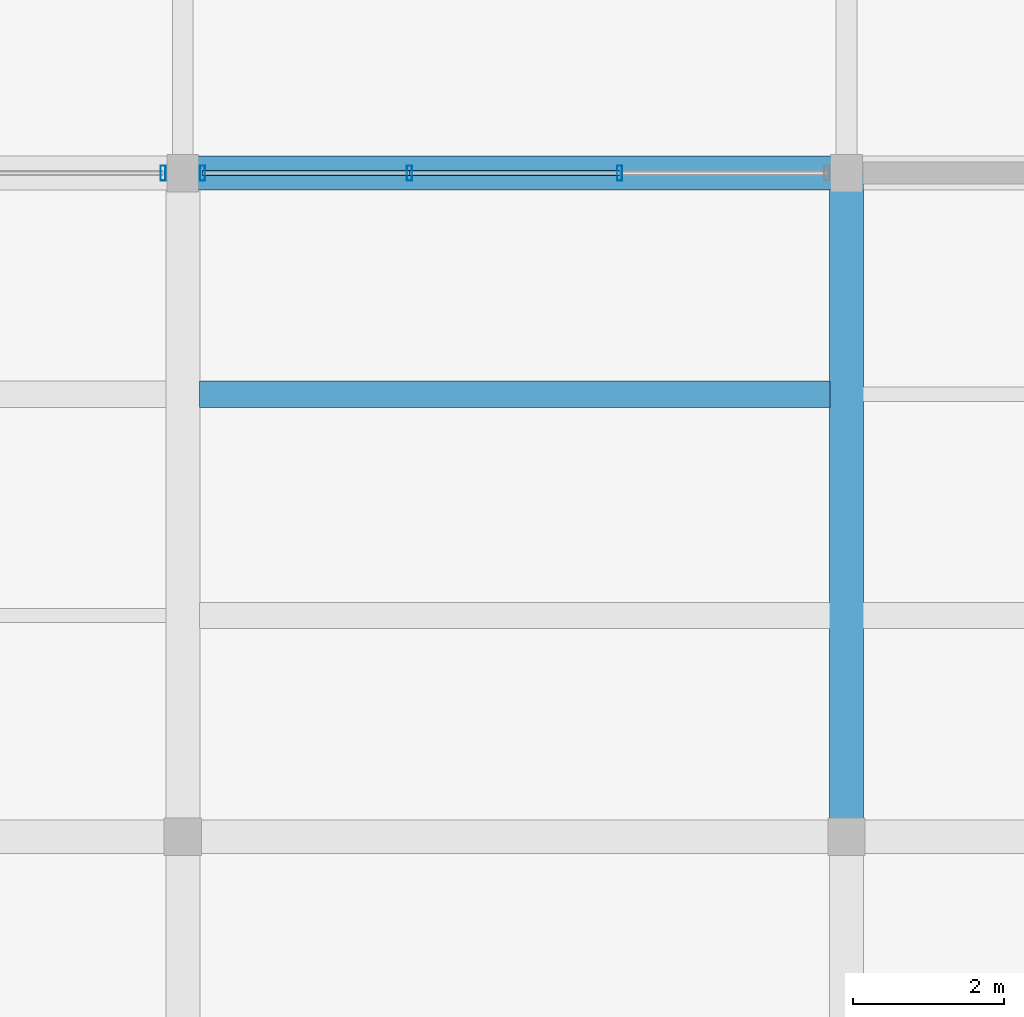
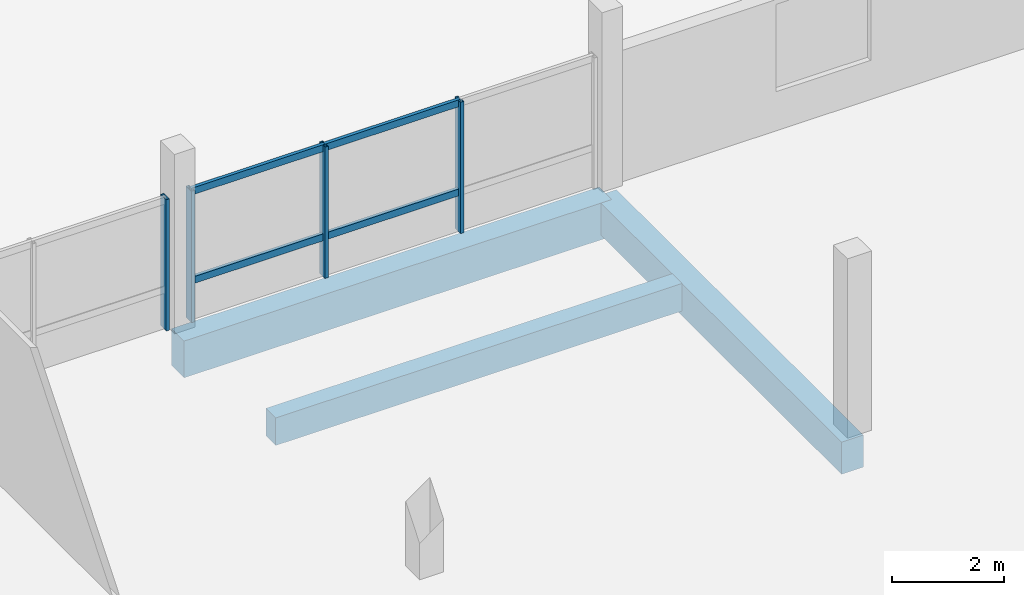
# One storey, part 45 of 62: 8 members, 3 beams, 2 elements without a shape of their own.
"""IFC4 building model written with IfcOpenShell, lengths in metres."""

from ifc_helpers import new_model, si_unit, direction, frame, origin, origin_2d, place, context, subcontext, project, spatial, rectangle, hollow_rectangle, extrude, material, layer, layer_set, material_profile, profile_set, type_object, element, aggregate, save


model = new_model("IFC4")

# Units and contexts
model_context = context("Model", 3, precision=1e-05, world=origin(), true_north=direction((0.0, 1.0)))
body_context = subcontext(model_context, "Body", "Model", "MODEL_VIEW")
ifc_project = project(units=[si_unit("LENGTHUNIT", "METRE"), si_unit("AREAUNIT", "SQUARE_METRE"), si_unit("VOLUMEUNIT", "CUBIC_METRE"), si_unit("PLANEANGLEUNIT", "RADIAN"), si_unit("MASSUNIT", "GRAM", prefix="KILO")], contexts=[model_context])

# Site, building, storey
site_placement = place(None, origin())
site = spatial("IfcSite", under=ifc_project, at=site_placement, CompositionType="ELEMENT")
building_placement = place(site_placement, origin())
building = spatial("IfcBuilding", under=site, at=building_placement, Name="Meriwether Solvik Hall", CompositionType="ELEMENT")
storey_placement = place(building_placement, frame((0.0, 0.0, 14.39990234375)))
storey = spatial("IfcBuildingStorey", under=building, at=storey_placement, Name="L03", CompositionType="ELEMENT", Elevation=14.39990234375)

# Beams
ifc_material_1 = material(Name="Concrete C40/50", Category="concrete")
ifc_material_profile_1 = material_profile(ifc_material_1, rectangle(XDim=0.35009765625, YDim=0.60009765625, at=origin_2d()), Name="RCB-350X600")
ifc_profile_set_1 = profile_set([ifc_material_profile_1], Name="Concrete C40/50")
beam_type_1 = type_object("IfcBeamType", Name="BM-RC-350X600", PredefinedType="JOIST", material=ifc_profile_set_1)
beam_1_placement = place(storey_placement, frame((140.820068359375, 89.86669921875, -0.544921875), z_axis=(1.0, 0.0, 0.0), x_axis=(0.0, 1.0, 0.0)))
element("IfcBeam", 1, at=beam_1_placement, inside=storey, type_object=beam_type_1, Name="Secondary Floor Joist 16/J_J2 (L03)", PredefinedType="JOIST", context=body_context, shape_type="SweptSolid", body=[
    extrude(rectangle(XDim=0.35009765625, YDim=0.60009765625, at=origin_2d()), origin(), (0.0, 0.0, 1.0), 8.35986328125),
])
ifc_material_2 = material(Name="Concrete C40/50", Category="concrete")
ifc_material_profile_2 = material_profile(ifc_material_2, rectangle(XDim=0.449951171875, YDim=0.699951171875, at=origin_2d()), Name="RCB-450X700")
ifc_profile_set_2 = profile_set([ifc_material_profile_2], Name="Concrete C40/50")
beam_type_2 = type_object("IfcBeamType", Name="BM-RC-450X700", PredefinedType="BEAM", material=ifc_profile_set_2)
beam_2_placement = place(storey_placement, frame((149.39990234375, 84.0, -0.594970703125), z_axis=(0.0, 1.0, 0.0), x_axis=(-1.0, 0.0, 0.0)))
element("IfcBeam", 2, at=beam_2_placement, inside=storey, type_object=beam_type_2, Name="Podium Girder 17:J-K (L03)", PredefinedType="BEAM", context=body_context, shape_type="SweptSolid", body=[
    extrude(rectangle(XDim=0.449951171875, YDim=0.699951171875, at=origin_2d()), origin(), (0.0, 0.0, 1.0), 8.800048828125),
])
ifc_material_3 = material(Name="Concrete C40/50", Category="concrete")
ifc_material_profile_3 = material_profile(ifc_material_3, rectangle(XDim=0.449951171875, YDim=0.800048828125, at=origin_2d()), Name="RCB-450X800")
ifc_profile_set_3 = profile_set([ifc_material_profile_3], Name="Concrete C40/50")
beam_type_3 = type_object("IfcBeamType", Name="BM-RC-450X800", PredefinedType="BEAM", material=ifc_profile_set_3)
beam_3_placement = place(storey_placement, frame((140.60009765625, 92.800048828125, -0.64501953125), z_axis=(1.0, 0.0, 0.0), x_axis=(0.0, 1.0, 0.0)))
element("IfcBeam", 3, at=beam_3_placement, inside=storey, type_object=beam_type_3, Name="Podium Girder K:16-17 (L03)", PredefinedType="BEAM", context=body_context, shape_type="SweptSolid", body=[
    extrude(rectangle(XDim=0.449951171875, YDim=0.800048828125, at=origin_2d()), origin(), (0.0, 0.0, 1.0), 8.7998046875),
])

# Curtain wall, member
ifc_material_4 = material(Name="Thermally Broken Anodised Aluminium 6063-T6 and Low-E Glass", Category="aluminium")
ifc_layer = layer(ifc_material_4, 0.179931640625)
ifc_layer_set = layer_set([ifc_layer], Name="Thermally Broken Anodised Aluminium 6063-T6 and Low-E Glass")
curtain_wall_type = type_object("IfcCurtainWallType", Name="CW-UNIT-E", PredefinedType="USERDEFINED", material=ifc_layer_set)
curtain_wall_1_placement = place(storey_placement, origin())
curtain_wall_1 = element("IfcCurtainWall", 4, at=curtain_wall_1_placement, inside=storey, type_object=curtain_wall_type, Name="Curtain Wall wing_XK_15_20 (L03)", ObjectType="UNITISED CURTAIN WALL", PredefinedType="USERDEFINED")
ifc_material_5 = material(Name="Anodised Aluminium 6063-T6", Category="aluminium")
ifc_material_profile_4 = material_profile(ifc_material_5, hollow_rectangle(XDim=0.070068359375, YDim=0.199951171875, WallThickness=0.0048828125, at=origin_2d()), Name="CWM-70X200")
ifc_profile_set_4 = profile_set([ifc_material_profile_4], Name="Anodised Aluminium 6063-T6")
member_type_1 = type_object("IfcMemberType", Name="CW-MUL-70X200", PredefinedType="MULLION", material=ifc_profile_set_4)
member_1_placement = place(storey_placement, frame((140.340087890625, 92.800048828125, 0.0), z_axis=(0.0, 0.0, 1.0), x_axis=(1.0, 0.0, 0.0)))
member_1 = element("IfcMember", 5, at=member_1_placement, type_object=member_type_1, Name="Curtain Wall Mullion 4", PredefinedType="MULLION", context=body_context, shape_type="SweptSolid", body=[
    extrude(hollow_rectangle(XDim=0.070068359375, YDim=0.199951171875, WallThickness=0.0048828125, at=origin_2d()), origin(), (0.0, 0.0, 1.0), 2.85498046875),
])
aggregate(curtain_wall_1, [member_1])

# Curtain wall, members
curtain_wall_2_placement = place(storey_placement, origin())
curtain_wall_2 = element("IfcCurtainWall", 6, at=curtain_wall_2_placement, inside=storey, type_object=curtain_wall_type, Name="Curtain Wall wing_XK_16_21 (L03)", ObjectType="UNITISED CURTAIN WALL", PredefinedType="USERDEFINED")
member_2_placement = place(storey_placement, frame((140.860107421875, 92.800048828125, 0.0), z_axis=(0.0, 0.0, 1.0), x_axis=(1.0, 0.0, 0.0)))
member_2 = element("IfcMember", 7, at=member_2_placement, type_object=member_type_1, Name="Curtain Wall Mullion 1", PredefinedType="MULLION", context=body_context, shape_type="SweptSolid", body=[
    extrude(hollow_rectangle(XDim=0.070068359375, YDim=0.199951171875, WallThickness=0.0048828125, at=origin_2d()), origin(), (0.0, 0.0, 1.0), 2.85498046875),
])
member_3_placement = place(storey_placement, frame((143.607421875, 92.800048828125, 0.0), z_axis=(0.0, 0.0, 1.0), x_axis=(1.0, 0.0, 0.0)))
member_3 = element("IfcMember", 8, at=member_3_placement, type_object=member_type_1, Name="Curtain Wall Mullion 2", PredefinedType="MULLION", context=body_context, shape_type="SweptSolid", body=[
    extrude(hollow_rectangle(XDim=0.070068359375, YDim=0.199951171875, WallThickness=0.0048828125, at=origin_2d()), origin(), (0.0, 0.0, 1.0), 2.85498046875),
])
member_4_placement = place(storey_placement, frame((146.392578125, 92.800048828125, 0.0), z_axis=(0.0, 0.0, 1.0), x_axis=(1.0, 0.0, 0.0)))
member_4 = element("IfcMember", 9, at=member_4_placement, type_object=member_type_1, Name="Curtain Wall Mullion 3", PredefinedType="MULLION", context=body_context, shape_type="SweptSolid", body=[
    extrude(hollow_rectangle(XDim=0.070068359375, YDim=0.199951171875, WallThickness=0.0048828125, at=origin_2d()), origin(), (0.0, 0.0, 1.0), 2.85498046875),
])
ifc_material_6 = material(Name="Anodised Aluminium 6063-T6", Category="aluminium")
ifc_material_profile_5 = material_profile(ifc_material_6, hollow_rectangle(XDim=0.070068359375, YDim=0.14990234375, WallThickness=0.0048828125, at=origin_2d()), Name="CWT-70X150")
ifc_profile_set_5 = profile_set([ifc_material_profile_5], Name="Anodised Aluminium 6063-T6")
member_type_2 = type_object("IfcMemberType", Name="CW-TRN-70X150", PredefinedType="USERDEFINED", material=ifc_profile_set_5)
member_5_placement = place(storey_placement, frame((140.860107421875, 92.800048828125, 0.856689453125), z_axis=(1.0, 0.0, 0.0), x_axis=(0.0, 1.0, 0.0)))
member_5 = element("IfcMember", 10, at=member_5_placement, type_object=member_type_2, Name="Curtain Wall Transom 1-sill", ObjectType="TRANSOM", PredefinedType="USERDEFINED", context=body_context, shape_type="SweptSolid", body=[
    extrude(hollow_rectangle(XDim=0.070068359375, YDim=0.14990234375, WallThickness=0.0048828125, at=origin_2d()), origin(), (0.0, 0.0, 1.0), 2.747314453125),
])
member_6_placement = place(storey_placement, frame((140.860107421875, 92.800048828125, 2.795166015625), z_axis=(1.0, 0.0, 0.0), x_axis=(0.0, 1.0, 0.0)))
member_6 = element("IfcMember", 11, at=member_6_placement, type_object=member_type_2, Name="Curtain Wall Transom 1-head", ObjectType="TRANSOM", PredefinedType="USERDEFINED", context=body_context, shape_type="SweptSolid", body=[
    extrude(hollow_rectangle(XDim=0.070068359375, YDim=0.14990234375, WallThickness=0.0048828125, at=origin_2d()), origin(), (0.0, 0.0, 1.0), 2.747314453125),
])
member_7_placement = place(storey_placement, frame((143.607421875, 92.800048828125, 0.856689453125), z_axis=(1.0, 0.0, 0.0), x_axis=(0.0, 1.0, 0.0)))
member_7 = element("IfcMember", 12, at=member_7_placement, type_object=member_type_2, Name="Curtain Wall Transom 2-sill", ObjectType="TRANSOM", PredefinedType="USERDEFINED", context=body_context, shape_type="SweptSolid", body=[
    extrude(hollow_rectangle(XDim=0.070068359375, YDim=0.14990234375, WallThickness=0.0048828125, at=origin_2d()), origin(), (0.0, 0.0, 1.0), 2.78515625),
])
member_8_placement = place(storey_placement, frame((143.607421875, 92.800048828125, 2.795166015625), z_axis=(1.0, 0.0, 0.0), x_axis=(0.0, 1.0, 0.0)))
member_8 = element("IfcMember", 13, at=member_8_placement, type_object=member_type_2, Name="Curtain Wall Transom 2-head", ObjectType="TRANSOM", PredefinedType="USERDEFINED", context=body_context, shape_type="SweptSolid", body=[
    extrude(hollow_rectangle(XDim=0.070068359375, YDim=0.14990234375, WallThickness=0.0048828125, at=origin_2d()), origin(), (0.0, 0.0, 1.0), 2.78515625),
])
aggregate(curtain_wall_2, [member_2, member_3, member_4, member_5, member_6, member_7, member_8])

save(model, "model.ifc")
